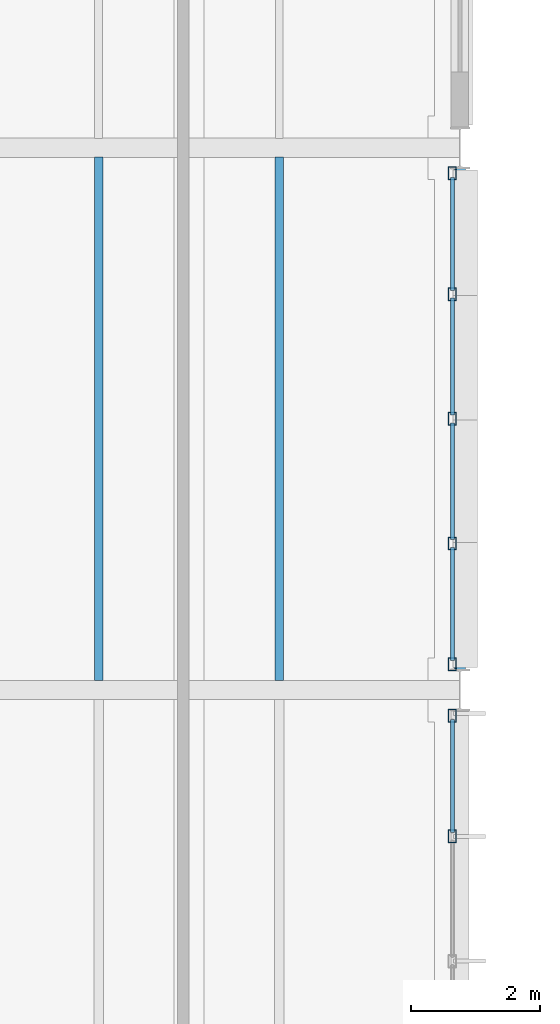
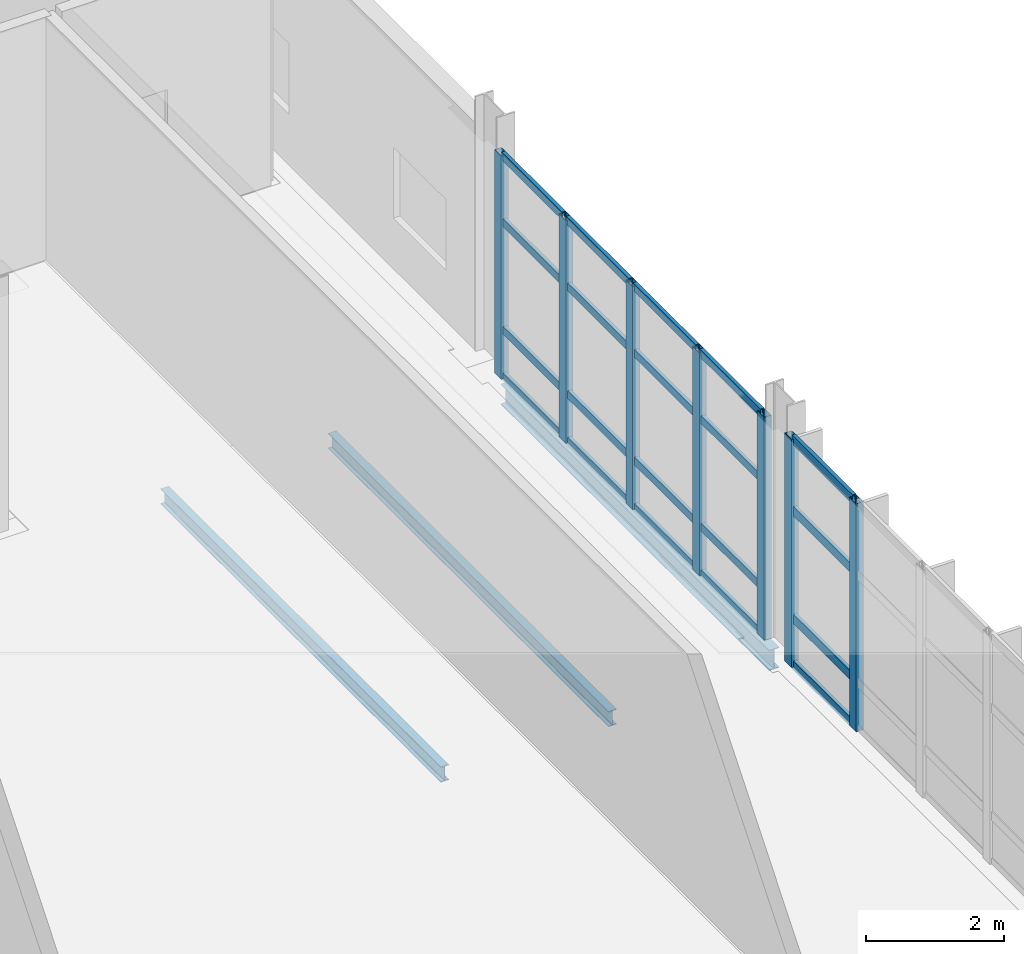
# One storey, part 51 of 129: 27 members, 3 beams, 2 elements without a shape of their own.
"""IFC4 building model written with IfcOpenShell, lengths in metres."""

import ifcopenshell
import ifcopenshell.guid

model = None  # the IFC model being written
_history = None  # IfcOwnerHistory: only IFC2X3 demands one
_inside = {}  # id of a spatial element -> (the spatial element, [elements in it])
_under = {}  # id of a project, library or spatial element -> (it, [spatial elements below it])
_declared = {}  # id of a project -> (the project, [libraries it declares])
_typed = {}  # id of a type object -> (the type object, [elements of that type])
_made_of = {}  # id of a material, layer set ... -> (it, [elements and type objects made of it])


def new_model(schema):
    """Start an empty IFC model of exactly this schema.

    Asked for "IFC4X3", IfcOpenShell would pick the latest addendum, in which some entities
    have other attributes; the version numbers below select the first issue.
    IFC2X3 requires an IfcOwnerHistory on every rooted entity: one is made here for all.
    """
    global model, _history
    if schema == "IFC4X3":
        model = ifcopenshell.file(schema_version=(4, 3, 0, 0))
    else:
        model = ifcopenshell.file(schema=schema)
    _inside.clear()
    _under.clear()
    _declared.clear()
    _typed.clear()
    _made_of.clear()
    _history = None
    if model.schema == "IFC2X3":
        org = make("IfcOrganization", Name="unknown")
        user = make(
            "IfcPersonAndOrganization",
            ThePerson=make("IfcPerson", FamilyName="unknown"),
            TheOrganization=org,
        )
        app = make(
            "IfcApplication",
            ApplicationDeveloper=org,
            Version="unknown",
            ApplicationFullName="unknown",
            ApplicationIdentifier="unknown",
        )
        _history = make(
            "IfcOwnerHistory",
            OwningUser=user,
            OwningApplication=app,
            ChangeAction="ADDED",
            CreationDate=0,
        )
    return model


def make(cls, **values):
    """One entity of the class cls with the attributes given. An attribute that is None is left unset."""
    return model.create_entity(
        cls, **{name: value for name, value in values.items() if value is not None}
    )


def rooted(cls, **values):
    """An entity with a GlobalId (a new one), such as an element, a storey or a relation."""
    return make(cls, GlobalId=ifcopenshell.guid.new(), OwnerHistory=_history, **values)


def si_unit(unit_type, name, prefix=None):
    """IfcSIUnit, for example si_unit("LENGTHUNIT", "METRE", prefix="MILLI")."""
    return make("IfcSIUnit", UnitType=unit_type, Prefix=prefix, Name=name)


def assignment(units):
    """IfcUnitAssignment: the units of a project."""
    return None if units is None else make("IfcUnitAssignment", Units=units)


def point(xyz):
    """IfcCartesianPoint."""
    return None if xyz is None else make("IfcCartesianPoint", Coordinates=xyz)


def direction(xyz):
    """IfcDirection."""
    return None if xyz is None else make("IfcDirection", DirectionRatios=xyz)


def frame(location, z_axis=None, x_axis=None):
    """IfcAxis2Placement3D, a coordinate frame: its origin and axes. An axis left out is left unset."""
    return make(
        "IfcAxis2Placement3D",
        Location=point(location),
        Axis=direction(z_axis),
        RefDirection=direction(x_axis),
    )


def frame_2d(location, x_axis=None):
    """IfcAxis2Placement2D, a coordinate frame in the plane: its origin and x axis."""
    return make(
        "IfcAxis2Placement2D", Location=point(location), RefDirection=direction(x_axis)
    )


def origin():
    """The frame at (0, 0, 0) with its axes left unset."""
    return frame((0.0, 0.0, 0.0))


def origin_2d():
    """The frame at (0, 0) in the plane with its x axis left unset."""
    return frame_2d((0.0, 0.0))


def place(relative_to, where):
    """IfcLocalPlacement: puts the frame where relative to a parent placement (None: the world)."""
    return make(
        "IfcLocalPlacement", PlacementRelTo=relative_to, RelativePlacement=where
    )


def context(
    kind, dimensions, precision=None, world=None, true_north=None, identifier=None
):
    """IfcGeometricRepresentationContext, for example the 3D "Model" context."""
    return make(
        "IfcGeometricRepresentationContext",
        ContextIdentifier=identifier,
        ContextType=kind,
        CoordinateSpaceDimension=dimensions,
        Precision=precision,
        WorldCoordinateSystem=world,
        TrueNorth=true_north,
    )


def subcontext(parent, identifier, kind, view, scale=None):
    """IfcGeometricRepresentationSubContext, for example "Body" below "Model"."""
    return make(
        "IfcGeometricRepresentationSubContext",
        ContextIdentifier=identifier,
        ContextType=kind,
        ParentContext=parent,
        TargetScale=scale,
        TargetView=view,
    )


def project(units=None, contexts=None):
    """IfcProject with its units and contexts."""
    return rooted(
        "IfcProject",
        Name="project",
        RepresentationContexts=contexts,
        UnitsInContext=assignment(units),
    )


def spatial(cls, under=None, at=None, **own):
    """A site, building, storey or space (cls), placed at a placement, below another one or the project."""
    s = rooted(cls, ObjectPlacement=at, **own)
    if under is not None:
        _under.setdefault(under.id(), (under, []))[1].append(s)
    return s


def profile(cls, at=None, kind="AREA", **sizes):
    """A parametric profile (cls). Its sizes go by their IFC names, for example OverallWidth=200.0."""
    return make(cls, ProfileType=kind, Position=at, **sizes)


def hollow_rectangle(**sizes):
    """IfcRectangleHollowProfileDef."""
    return profile("IfcRectangleHollowProfileDef", **sizes)


def i_section(**sizes):
    """IfcIShapeProfileDef."""
    return profile("IfcIShapeProfileDef", **sizes)


def extrude(swept, where, along, depth):
    """IfcExtrudedAreaSolid: the profile swept, set in the frame where, extruded along a direction by depth."""
    return make(
        "IfcExtrudedAreaSolid",
        SweptArea=swept,
        Position=where,
        ExtrudedDirection=direction(along),
        Depth=depth,
    )


def shape(context_of_items, identifier, shape_type, items):
    """IfcShapeRepresentation: the items that make up one representation, for example the "Body"."""
    return make(
        "IfcShapeRepresentation",
        ContextOfItems=context_of_items,
        RepresentationIdentifier=identifier,
        RepresentationType=shape_type,
        Items=items,
    )


def material(Name=None, Category=None):
    """IfcMaterial."""
    return make("IfcMaterial", Name=Name, Category=Category)


def material_profile(
    of_material, cross_section, Name=None, Category=None, Priority=None
):
    """IfcMaterialProfile: a cross section and its material."""
    return make(
        "IfcMaterialProfile",
        Name=Name,
        Material=of_material,
        Profile=cross_section,
        Priority=Priority,
        Category=Category,
    )


def profile_set(profiles, Name=None, composite=None):
    """IfcMaterialProfileSet."""
    return make(
        "IfcMaterialProfileSet",
        Name=Name,
        MaterialProfiles=profiles,
        CompositeProfile=composite,
    )


def made_of(thing, what):
    """Note that an element or type object is made of a material, layer set ...; save() writes the relation."""
    if what is not None:
        _made_of.setdefault(what.id(), (what, []))[1].append(thing)
    return thing


def type_object(cls, material=None, **own):
    """A type object (cls), such as IfcWallType, which elements share."""
    return made_of(rooted(cls, **own), material)


def element(
    cls,
    number,
    at=None,
    inside=None,
    cuts=None,
    type_object=None,
    material=None,
    context=None,
    identifier="Body",
    shape_type=None,
    held_by="IfcProductDefinitionShape",
    body=None,
    shapes=None,
    **own,
):
    """One element of the class cls, such as IfcWall. Its Tag is "e" and its number.

    at: its placement. inside: the storey or other place that contains it. cuts: it is an
    opening in that element (IfcRelVoidsElement). A single representation is given by context,
    identifier, shape_type and body (its items); several are given by shapes. held_by: the class
    of the entity that holds the representations. save() writes the other relations.
    """
    e = rooted(cls, Tag="e%d" % number, ObjectPlacement=at, **own)
    if body is not None:
        shapes = [shape(context, identifier, shape_type, body)]
    if shapes is not None:
        e.Representation = make(held_by, Representations=shapes)
    if inside is not None:
        _inside.setdefault(inside.id(), (inside, []))[1].append(e)
    if cuts is not None:
        rooted(
            "IfcRelVoidsElement", RelatingBuildingElement=cuts, RelatedOpeningElement=e
        )
    if type_object is not None:
        _typed.setdefault(type_object.id(), (type_object, []))[1].append(e)
    return made_of(e, material)


def aggregate(whole, parts):
    """IfcRelAggregates: a whole, such as a stair, and the parts it consists of."""
    return rooted("IfcRelAggregates", RelatingObject=whole, RelatedObjects=parts)


def save(model, path):
    """Write the relations noted so far, then the file.

    IfcRelAggregates (storeys below a building ...), IfcRelContainedInSpatialStructure (elements
    in a storey), IfcRelDefinesByType, IfcRelAssociatesMaterial and IfcRelDeclares: one each for
    every whole, place, type object, material and project.
    """
    for whole, parts in _under.values():
        aggregate(whole, parts)
    for where, things in _inside.values():
        rooted(
            "IfcRelContainedInSpatialStructure",
            RelatedElements=things,
            RelatingStructure=where,
        )
    for kind, things in _typed.values():
        rooted("IfcRelDefinesByType", RelatedObjects=things, RelatingType=kind)
    for what, things in _made_of.values():
        rooted("IfcRelAssociatesMaterial", RelatedObjects=things, RelatingMaterial=what)
    for by, libraries in _declared.values():
        rooted("IfcRelDeclares", RelatingContext=by, RelatedDefinitions=libraries)
    model.write(path)


model = new_model("IFC4")

# Units and contexts
model_context = context("Model", 3, precision=1e-05, world=origin(), true_north=direction((0.0, 1.0)))
body_context = subcontext(model_context, "Body", "Model", "MODEL_VIEW")
ifc_project = project(units=[si_unit("LENGTHUNIT", "METRE"), si_unit("AREAUNIT", "SQUARE_METRE"), si_unit("VOLUMEUNIT", "CUBIC_METRE"), si_unit("PLANEANGLEUNIT", "RADIAN"), si_unit("MASSUNIT", "GRAM", prefix="KILO")], contexts=[model_context])

# Site, building, storey
site_placement = place(None, origin())
site = spatial("IfcSite", under=ifc_project, at=site_placement, CompositionType="ELEMENT")
building_placement = place(site_placement, origin())
building = spatial("IfcBuilding", under=site, at=building_placement, Name="Mersafa Astral City Hall", CompositionType="ELEMENT")
storey_placement = place(building_placement, frame((0.0, 0.0, 5.39990234375)))
storey = spatial("IfcBuildingStorey", under=building, at=storey_placement, Name="L01", CompositionType="ELEMENT", Elevation=5.39990234375)

# Curtain wall, members
ifc_material_1 = material(Name="Anodised bronze aluminium framing", Category="aluminium")
curtain_wall_type_1 = type_object("IfcCurtainWallType", Name="ENV-CW-3", PredefinedType="USERDEFINED", material=ifc_material_1)
curtain_wall_1_placement = place(storey_placement, origin())
curtain_wall_1 = element("IfcCurtainWall", 1, at=curtain_wall_1_placement, inside=storey, type_object=curtain_wall_type_1, Name="L01 Unitised solar curtain wall 56", ObjectType="UNITISED CURTAIN WALL", PredefinedType="USERDEFINED")
ifc_material_profile_1 = material_profile(ifc_material_1, hollow_rectangle(XDim=0.1201171875, YDim=0.199951171875, WallThickness=0.008056640625, at=origin_2d()), Name="RHS 120x200x8")
ifc_profile_set_1 = profile_set([ifc_material_profile_1], Name="Anodised bronze aluminium framing")
member_type_1 = type_object("IfcMemberType", Name="ENV-CW-MUL-2", PredefinedType="MULLION", material=ifc_profile_set_1)
member_1_placement = place(storey_placement, frame((117.47998046875, 81.7314453125, -0.001953125), z_axis=(0.0, 0.0, 1.0), x_axis=(-1.0, 0.0, 0.0)))
member_1 = element("IfcMember", 2, at=member_1_placement, type_object=member_type_1, Name="CW-3 mullion 4", PredefinedType="MULLION", context=body_context, shape_type="SweptSolid", body=[
    extrude(hollow_rectangle(XDim=0.1201171875, YDim=0.199951171875, WallThickness=0.008056640625, at=origin_2d()), origin(), (0.0, 0.0, 1.0), 4.029052734375),
])
member_2_placement = place(storey_placement, frame((117.47998046875, 83.60302734375, -0.001953125), z_axis=(0.0, 0.0, 1.0), x_axis=(-1.0, 0.0, 0.0)))
member_2 = element("IfcMember", 3, at=member_2_placement, type_object=member_type_1, Name="CW-3 mullion 5", PredefinedType="MULLION", context=body_context, shape_type="SweptSolid", body=[
    extrude(hollow_rectangle(XDim=0.1201171875, YDim=0.199951171875, WallThickness=0.008056640625, at=origin_2d()), origin(), (0.0, 0.0, 1.0), 4.029052734375),
])

curtain_wall_type_2 = type_object("IfcCurtainWallType", Name="ENV-CW-4", PredefinedType="USERDEFINED", material=ifc_material_1)
curtain_wall_2_placement = place(storey_placement, origin())
curtain_wall_2 = element("IfcCurtainWall", 4, at=curtain_wall_2_placement, inside=storey, type_object=curtain_wall_type_2, Name="L01 Unitised solar curtain wall 57", ObjectType="UNITISED CURTAIN WALL", PredefinedType="USERDEFINED")
member_3_placement = place(storey_placement, frame((117.47998046875, 84.39697265625, -0.001953125), z_axis=(0.0, 0.0, 1.0), x_axis=(-1.0, 0.0, 0.0)))
member_3 = element("IfcMember", 5, at=member_3_placement, type_object=member_type_1, Name="CW-4 mullion 1", PredefinedType="MULLION", context=body_context, shape_type="SweptSolid", body=[
    extrude(hollow_rectangle(XDim=0.1201171875, YDim=0.199951171875, WallThickness=0.008056640625, at=origin_2d()), origin(), (0.0, 0.0, 1.0), 3.93896484375),
])
member_4_placement = place(storey_placement, frame((117.47998046875, 86.2685546875, -0.001953125), z_axis=(0.0, 0.0, 1.0), x_axis=(-1.0, 0.0, 0.0)))
member_4 = element("IfcMember", 6, at=member_4_placement, type_object=member_type_1, Name="CW-4 mullion 2", PredefinedType="MULLION", context=body_context, shape_type="SweptSolid", body=[
    extrude(hollow_rectangle(XDim=0.1201171875, YDim=0.199951171875, WallThickness=0.008056640625, at=origin_2d()), origin(), (0.0, 0.0, 1.0), 3.93896484375),
])
member_5_placement = place(storey_placement, frame((117.47998046875, 88.199951171875, -0.001953125), z_axis=(0.0, 0.0, 1.0), x_axis=(-1.0, 0.0, 0.0)))
member_5 = element("IfcMember", 7, at=member_5_placement, type_object=member_type_1, Name="CW-4 mullion 3", PredefinedType="MULLION", context=body_context, shape_type="SweptSolid", body=[
    extrude(hollow_rectangle(XDim=0.1201171875, YDim=0.199951171875, WallThickness=0.008056640625, at=origin_2d()), origin(), (0.0, 0.0, 1.0), 3.93896484375),
])
member_6_placement = place(storey_placement, frame((117.47998046875, 90.131591796875, -0.001953125), z_axis=(0.0, 0.0, 1.0), x_axis=(-1.0, 0.0, 0.0)))
member_6 = element("IfcMember", 8, at=member_6_placement, type_object=member_type_1, Name="CW-4 mullion 4", PredefinedType="MULLION", context=body_context, shape_type="SweptSolid", body=[
    extrude(hollow_rectangle(XDim=0.1201171875, YDim=0.199951171875, WallThickness=0.008056640625, at=origin_2d()), origin(), (0.0, 0.0, 1.0), 3.93896484375),
])
member_7_placement = place(storey_placement, frame((117.47998046875, 92.0029296875, -0.001953125), z_axis=(0.0, 0.0, 1.0), x_axis=(-1.0, 0.0, 0.0)))
member_7 = element("IfcMember", 9, at=member_7_placement, type_object=member_type_1, Name="CW-4 mullion 5", PredefinedType="MULLION", context=body_context, shape_type="SweptSolid", body=[
    extrude(hollow_rectangle(XDim=0.1201171875, YDim=0.199951171875, WallThickness=0.008056640625, at=origin_2d()), origin(), (0.0, 0.0, 1.0), 3.93896484375),
])
ifc_material_profile_2 = material_profile(ifc_material_1, hollow_rectangle(XDim=0.06005859375, YDim=0.139892578125, WallThickness=0.00390625, at=origin_2d()), Name="RHS 60x140x4")
ifc_profile_set_2 = profile_set([ifc_material_profile_2], Name="Anodised bronze aluminium framing")
member_type_2 = type_object("IfcMemberType", Name="ENV-CW-TRN-1", PredefinedType="USERDEFINED", material=ifc_profile_set_2)
member_8_placement = place(storey_placement, frame((117.47998046875, 84.45703125, 0.028076171875), z_axis=(0.0, 1.0, 0.0), x_axis=(-1.0, 0.0, 0.0)))
member_8 = element("IfcMember", 10, at=member_8_placement, type_object=member_type_2, Name="CW-4 transom 1.1", ObjectType="TRANSOM", PredefinedType="USERDEFINED", context=body_context, shape_type="SweptSolid", body=[
    extrude(hollow_rectangle(XDim=0.06005859375, YDim=0.139892578125, WallThickness=0.00390625, at=origin_2d()), origin(), (0.0, 0.0, 1.0), 1.75146484375),
])
member_9_placement = place(storey_placement, frame((117.47998046875, 84.45703125, 0.85009765625), z_axis=(0.0, 1.0, 0.0), x_axis=(-1.0, 0.0, 0.0)))
member_9 = element("IfcMember", 11, at=member_9_placement, type_object=member_type_2, Name="CW-4 transom 1.2", ObjectType="TRANSOM", PredefinedType="USERDEFINED", context=body_context, shape_type="SweptSolid", body=[
    extrude(hollow_rectangle(XDim=0.06005859375, YDim=0.139892578125, WallThickness=0.00390625, at=origin_2d()), origin(), (0.0, 0.0, 1.0), 1.75146484375),
])
member_10_placement = place(storey_placement, frame((117.47998046875, 84.45703125, 2.75), z_axis=(0.0, 1.0, 0.0), x_axis=(-1.0, 0.0, 0.0)))
member_10 = element("IfcMember", 12, at=member_10_placement, type_object=member_type_2, Name="CW-4 transom 1.3", ObjectType="TRANSOM", PredefinedType="USERDEFINED", context=body_context, shape_type="SweptSolid", body=[
    extrude(hollow_rectangle(XDim=0.06005859375, YDim=0.139892578125, WallThickness=0.00390625, at=origin_2d()), origin(), (0.0, 0.0, 1.0), 1.75146484375),
])
member_11_placement = place(storey_placement, frame((117.47998046875, 84.45703125, 3.906982421875), z_axis=(0.0, 1.0, 0.0), x_axis=(-1.0, 0.0, 0.0)))
member_11 = element("IfcMember", 13, at=member_11_placement, type_object=member_type_2, Name="CW-4 transom 1.4", ObjectType="TRANSOM", PredefinedType="USERDEFINED", context=body_context, shape_type="SweptSolid", body=[
    extrude(hollow_rectangle(XDim=0.06005859375, YDim=0.139892578125, WallThickness=0.00390625, at=origin_2d()), origin(), (0.0, 0.0, 1.0), 1.75146484375),
])
member_12_placement = place(storey_placement, frame((117.47998046875, 86.32861328125, 0.028076171875), z_axis=(0.0, 1.0, 0.0), x_axis=(-1.0, 0.0, 0.0)))
member_12 = element("IfcMember", 14, at=member_12_placement, type_object=member_type_2, Name="CW-4 transom 2.1", ObjectType="TRANSOM", PredefinedType="USERDEFINED", context=body_context, shape_type="SweptSolid", body=[
    extrude(hollow_rectangle(XDim=0.06005859375, YDim=0.139892578125, WallThickness=0.00390625, at=origin_2d()), origin(), (0.0, 0.0, 1.0), 1.811279296875),
])
member_13_placement = place(storey_placement, frame((117.47998046875, 86.32861328125, 0.85009765625), z_axis=(0.0, 1.0, 0.0), x_axis=(-1.0, 0.0, 0.0)))
member_13 = element("IfcMember", 15, at=member_13_placement, type_object=member_type_2, Name="CW-4 transom 2.2", ObjectType="TRANSOM", PredefinedType="USERDEFINED", context=body_context, shape_type="SweptSolid", body=[
    extrude(hollow_rectangle(XDim=0.06005859375, YDim=0.139892578125, WallThickness=0.00390625, at=origin_2d()), origin(), (0.0, 0.0, 1.0), 1.811279296875),
])
member_14_placement = place(storey_placement, frame((117.47998046875, 86.32861328125, 2.75), z_axis=(0.0, 1.0, 0.0), x_axis=(-1.0, 0.0, 0.0)))
member_14 = element("IfcMember", 16, at=member_14_placement, type_object=member_type_2, Name="CW-4 transom 2.3", ObjectType="TRANSOM", PredefinedType="USERDEFINED", context=body_context, shape_type="SweptSolid", body=[
    extrude(hollow_rectangle(XDim=0.06005859375, YDim=0.139892578125, WallThickness=0.00390625, at=origin_2d()), origin(), (0.0, 0.0, 1.0), 1.811279296875),
])
member_15_placement = place(storey_placement, frame((117.47998046875, 86.32861328125, 3.906982421875), z_axis=(0.0, 1.0, 0.0), x_axis=(-1.0, 0.0, 0.0)))
member_15 = element("IfcMember", 17, at=member_15_placement, type_object=member_type_2, Name="CW-4 transom 2.4", ObjectType="TRANSOM", PredefinedType="USERDEFINED", context=body_context, shape_type="SweptSolid", body=[
    extrude(hollow_rectangle(XDim=0.06005859375, YDim=0.139892578125, WallThickness=0.00390625, at=origin_2d()), origin(), (0.0, 0.0, 1.0), 1.811279296875),
])
member_16_placement = place(storey_placement, frame((117.47998046875, 88.260009765625, 0.028076171875), z_axis=(0.0, 1.0, 0.0), x_axis=(-1.0, 0.0, 0.0)))
member_16 = element("IfcMember", 18, at=member_16_placement, type_object=member_type_2, Name="CW-4 transom 3.1", ObjectType="TRANSOM", PredefinedType="USERDEFINED", context=body_context, shape_type="SweptSolid", body=[
    extrude(hollow_rectangle(XDim=0.06005859375, YDim=0.139892578125, WallThickness=0.00390625, at=origin_2d()), origin(), (0.0, 0.0, 1.0), 1.8115234375),
])
member_17_placement = place(storey_placement, frame((117.47998046875, 88.260009765625, 0.85009765625), z_axis=(0.0, 1.0, 0.0), x_axis=(-1.0, 0.0, 0.0)))
member_17 = element("IfcMember", 19, at=member_17_placement, type_object=member_type_2, Name="CW-4 transom 3.2", ObjectType="TRANSOM", PredefinedType="USERDEFINED", context=body_context, shape_type="SweptSolid", body=[
    extrude(hollow_rectangle(XDim=0.06005859375, YDim=0.139892578125, WallThickness=0.00390625, at=origin_2d()), origin(), (0.0, 0.0, 1.0), 1.8115234375),
])
member_18_placement = place(storey_placement, frame((117.47998046875, 88.260009765625, 2.75), z_axis=(0.0, 1.0, 0.0), x_axis=(-1.0, 0.0, 0.0)))
member_18 = element("IfcMember", 20, at=member_18_placement, type_object=member_type_2, Name="CW-4 transom 3.3", ObjectType="TRANSOM", PredefinedType="USERDEFINED", context=body_context, shape_type="SweptSolid", body=[
    extrude(hollow_rectangle(XDim=0.06005859375, YDim=0.139892578125, WallThickness=0.00390625, at=origin_2d()), origin(), (0.0, 0.0, 1.0), 1.8115234375),
])
member_19_placement = place(storey_placement, frame((117.47998046875, 88.260009765625, 3.906982421875), z_axis=(0.0, 1.0, 0.0), x_axis=(-1.0, 0.0, 0.0)))
member_19 = element("IfcMember", 21, at=member_19_placement, type_object=member_type_2, Name="CW-4 transom 3.4", ObjectType="TRANSOM", PredefinedType="USERDEFINED", context=body_context, shape_type="SweptSolid", body=[
    extrude(hollow_rectangle(XDim=0.06005859375, YDim=0.139892578125, WallThickness=0.00390625, at=origin_2d()), origin(), (0.0, 0.0, 1.0), 1.8115234375),
])
member_20_placement = place(storey_placement, frame((117.47998046875, 90.19140625, 0.028076171875), z_axis=(0.0, 1.0, 0.0), x_axis=(-1.0, 0.0, 0.0)))
member_20 = element("IfcMember", 22, at=member_20_placement, type_object=member_type_2, Name="CW-4 transom 4.1", ObjectType="TRANSOM", PredefinedType="USERDEFINED", context=body_context, shape_type="SweptSolid", body=[
    extrude(hollow_rectangle(XDim=0.06005859375, YDim=0.139892578125, WallThickness=0.00390625, at=origin_2d()), origin(), (0.0, 0.0, 1.0), 1.751708984375),
])
member_21_placement = place(storey_placement, frame((117.47998046875, 90.19140625, 0.85009765625), z_axis=(0.0, 1.0, 0.0), x_axis=(-1.0, 0.0, 0.0)))
member_21 = element("IfcMember", 23, at=member_21_placement, type_object=member_type_2, Name="CW-4 transom 4.2", ObjectType="TRANSOM", PredefinedType="USERDEFINED", context=body_context, shape_type="SweptSolid", body=[
    extrude(hollow_rectangle(XDim=0.06005859375, YDim=0.139892578125, WallThickness=0.00390625, at=origin_2d()), origin(), (0.0, 0.0, 1.0), 1.751708984375),
])
member_22_placement = place(storey_placement, frame((117.47998046875, 90.19140625, 2.75), z_axis=(0.0, 1.0, 0.0), x_axis=(-1.0, 0.0, 0.0)))
member_22 = element("IfcMember", 24, at=member_22_placement, type_object=member_type_2, Name="CW-4 transom 4.3", ObjectType="TRANSOM", PredefinedType="USERDEFINED", context=body_context, shape_type="SweptSolid", body=[
    extrude(hollow_rectangle(XDim=0.06005859375, YDim=0.139892578125, WallThickness=0.00390625, at=origin_2d()), origin(), (0.0, 0.0, 1.0), 1.751708984375),
])
member_23_placement = place(storey_placement, frame((117.47998046875, 90.19140625, 3.906982421875), z_axis=(0.0, 1.0, 0.0), x_axis=(-1.0, 0.0, 0.0)))
member_23 = element("IfcMember", 25, at=member_23_placement, type_object=member_type_2, Name="CW-4 transom 4.4", ObjectType="TRANSOM", PredefinedType="USERDEFINED", context=body_context, shape_type="SweptSolid", body=[
    extrude(hollow_rectangle(XDim=0.06005859375, YDim=0.139892578125, WallThickness=0.00390625, at=origin_2d()), origin(), (0.0, 0.0, 1.0), 1.751708984375),
])
aggregate(curtain_wall_2, [member_3, member_4, member_5, member_6, member_7, member_8, member_9, member_10, member_11, member_12, member_13, member_14, member_15, member_16, member_17, member_18, member_19, member_20, member_21, member_22, member_23])

# Member
ifc_material_profile_3 = material_profile(ifc_material_1, hollow_rectangle(XDim=0.06005859375, YDim=0.159912109375, WallThickness=0.00390625, at=origin_2d()), Name="RHS 60x160x4")
ifc_profile_set_3 = profile_set([ifc_material_profile_3], Name="Anodised bronze aluminium framing")
member_type_3 = type_object("IfcMemberType", Name="ENV-CW-TRN-2", PredefinedType="USERDEFINED", material=ifc_profile_set_3)
member_24_placement = place(storey_placement, frame((117.47998046875, 81.79150390625, 0.028076171875), z_axis=(0.0, 1.0, 0.0), x_axis=(-1.0, 0.0, 0.0)))
member_24 = element("IfcMember", 26, at=member_24_placement, type_object=member_type_3, Name="CW-3 transom 4.1", ObjectType="TRANSOM", PredefinedType="USERDEFINED", context=body_context, shape_type="SweptSolid", body=[
    extrude(hollow_rectangle(XDim=0.06005859375, YDim=0.159912109375, WallThickness=0.00390625, at=origin_2d()), origin(), (0.0, 0.0, 1.0), 1.75146484375),
])

member_25_placement = place(storey_placement, frame((117.47998046875, 81.79150390625, 0.85009765625), z_axis=(0.0, 1.0, 0.0), x_axis=(-1.0, 0.0, 0.0)))
member_25 = element("IfcMember", 27, at=member_25_placement, type_object=member_type_3, Name="CW-3 transom 4.2", ObjectType="TRANSOM", PredefinedType="USERDEFINED", context=body_context, shape_type="SweptSolid", body=[
    extrude(hollow_rectangle(XDim=0.06005859375, YDim=0.159912109375, WallThickness=0.00390625, at=origin_2d()), origin(), (0.0, 0.0, 1.0), 1.75146484375),
])

member_26_placement = place(storey_placement, frame((117.47998046875, 81.79150390625, 2.75), z_axis=(0.0, 1.0, 0.0), x_axis=(-1.0, 0.0, 0.0)))
member_26 = element("IfcMember", 28, at=member_26_placement, type_object=member_type_3, Name="CW-3 transom 4.3", ObjectType="TRANSOM", PredefinedType="USERDEFINED", context=body_context, shape_type="SweptSolid", body=[
    extrude(hollow_rectangle(XDim=0.06005859375, YDim=0.159912109375, WallThickness=0.00390625, at=origin_2d()), origin(), (0.0, 0.0, 1.0), 1.75146484375),
])

member_27_placement = place(storey_placement, frame((117.47998046875, 81.79150390625, 3.9970703125), z_axis=(0.0, 1.0, 0.0), x_axis=(-1.0, 0.0, 0.0)))
member_27 = element("IfcMember", 29, at=member_27_placement, type_object=member_type_3, Name="CW-3 transom 4.4", ObjectType="TRANSOM", PredefinedType="USERDEFINED", context=body_context, shape_type="SweptSolid", body=[
    extrude(hollow_rectangle(XDim=0.06005859375, YDim=0.159912109375, WallThickness=0.00390625, at=origin_2d()), origin(), (0.0, 0.0, 1.0), 1.75146484375),
])

aggregate(curtain_wall_1, [member_1, member_2, member_24, member_25, member_26, member_27])

# Beams
ifc_material_2 = material(Name="Steel S355", Category="steel")
ifc_material_profile_4 = material_profile(ifc_material_2, i_section(OverallWidth=0.135009765625, OverallDepth=0.27001953125, WebThickness=0.006591796875, FlangeThickness=0.01025390625, FilletRadius=0.014892578125, at=origin_2d()), Name="IPE 270")
ifc_profile_set_4 = profile_set([ifc_material_profile_4], Name="Steel S355")
beam_type_1 = type_object("IfcBeamType", Name="STR-BM-JOIST-IPE270", PredefinedType="JOIST", material=ifc_profile_set_4)
for number, where, z_axis, x_axis, name in (
    (30, (112.0, 84.14501953125, -0.35986328125), (0.0, 1.0, 0.0), (-1.0, 0.0, 0.0), "L01 Composite secondary floor joist 322"),
    (31, (114.800048828125, 84.14501953125, -0.35986328125), (0.0, 1.0, 0.0), (-1.0, 0.0, 0.0), "L01 Composite secondary floor joist 323"),
):
    element("IfcBeam", number, at=place(storey_placement, frame(where, z_axis=z_axis, x_axis=x_axis)), inside=storey, type_object=beam_type_1, Name=name, PredefinedType="JOIST", context=body_context, shape_type="SweptSolid", body=[
        extrude(i_section(OverallWidth=0.135009765625, OverallDepth=0.27001953125, WebThickness=0.006591796875, FlangeThickness=0.01025390625, FilletRadius=0.014892578125, at=origin_2d()), origin(), (0.0, 0.0, 1.0), 8.10986328125),
    ])
ifc_material_profile_5 = material_profile(ifc_material_2, i_section(OverallWidth=0.169921875, OverallDepth=0.360107421875, WebThickness=0.008056640625, FlangeThickness=0.0126953125, FilletRadius=0.01806640625, at=origin_2d()), Name="IPE 360")
ifc_profile_set_5 = profile_set([ifc_material_profile_5], Name="Steel S355")
beam_type_2 = type_object("IfcBeamType", Name="STR-BM-SPANDREL-IPE360", PredefinedType="SPANDREL", material=ifc_profile_set_5)
beam_placement = place(storey_placement, frame((117.60009765625, 84.320068359375, -0.40478515625), z_axis=(0.0, 1.0, 0.0), x_axis=(-1.0, 0.0, 0.0)))
element("IfcBeam", 32, at=beam_placement, inside=storey, type_object=beam_type_2, Name="L01 Primary girder Y 14-10", PredefinedType="SPANDREL", context=body_context, shape_type="SweptSolid", body=[
    extrude(i_section(OverallWidth=0.169921875, OverallDepth=0.360107421875, WebThickness=0.008056640625, FlangeThickness=0.0126953125, FilletRadius=0.01806640625, at=origin_2d()), origin(), (0.0, 0.0, 1.0), 7.760009765625),
])

save(model, "model.ifc")
